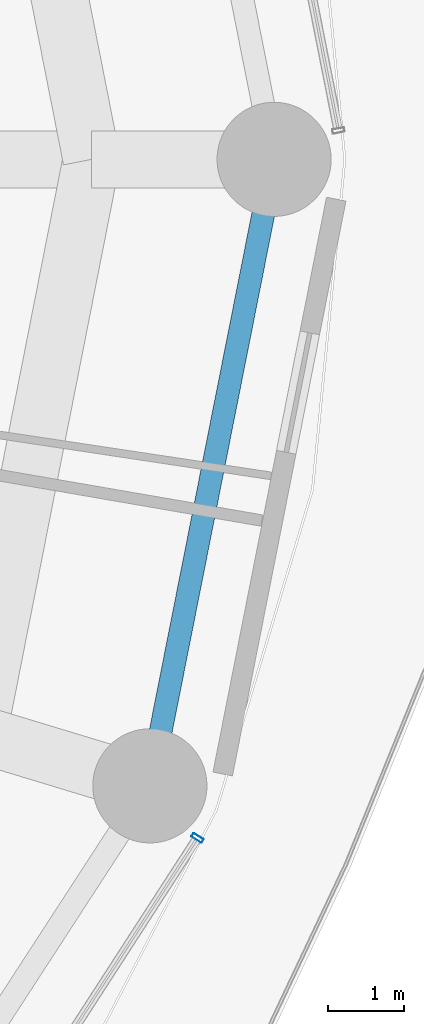
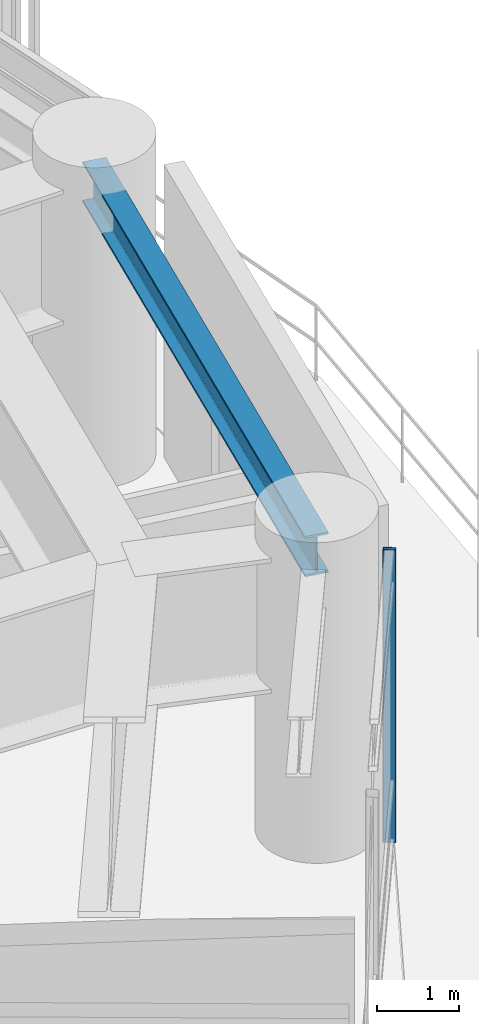
# One storey, part 12 of 31: 1 beam, 1 member, 1 element without a shape of its own.
"""IFC4 building model written with IfcOpenShell, lengths in metres."""

import ifcopenshell
import ifcopenshell.guid

model = None  # the IFC model being written
_history = None  # IfcOwnerHistory: only IFC2X3 demands one
_inside = {}  # id of a spatial element -> (the spatial element, [elements in it])
_under = {}  # id of a project, library or spatial element -> (it, [spatial elements below it])
_declared = {}  # id of a project -> (the project, [libraries it declares])
_typed = {}  # id of a type object -> (the type object, [elements of that type])
_made_of = {}  # id of a material, layer set ... -> (it, [elements and type objects made of it])


def new_model(schema):
    """Start an empty IFC model of exactly this schema.

    Asked for "IFC4X3", IfcOpenShell would pick the latest addendum, in which some entities
    have other attributes; the version numbers below select the first issue.
    IFC2X3 requires an IfcOwnerHistory on every rooted entity: one is made here for all.
    """
    global model, _history
    if schema == "IFC4X3":
        model = ifcopenshell.file(schema_version=(4, 3, 0, 0))
    else:
        model = ifcopenshell.file(schema=schema)
    _inside.clear()
    _under.clear()
    _declared.clear()
    _typed.clear()
    _made_of.clear()
    _history = None
    if model.schema == "IFC2X3":
        org = make("IfcOrganization", Name="unknown")
        user = make(
            "IfcPersonAndOrganization",
            ThePerson=make("IfcPerson", FamilyName="unknown"),
            TheOrganization=org,
        )
        app = make(
            "IfcApplication",
            ApplicationDeveloper=org,
            Version="unknown",
            ApplicationFullName="unknown",
            ApplicationIdentifier="unknown",
        )
        _history = make(
            "IfcOwnerHistory",
            OwningUser=user,
            OwningApplication=app,
            ChangeAction="ADDED",
            CreationDate=0,
        )
    return model


def make(cls, **values):
    """One entity of the class cls with the attributes given. An attribute that is None is left unset."""
    return model.create_entity(
        cls, **{name: value for name, value in values.items() if value is not None}
    )


def rooted(cls, **values):
    """An entity with a GlobalId (a new one), such as an element, a storey or a relation."""
    return make(cls, GlobalId=ifcopenshell.guid.new(), OwnerHistory=_history, **values)


def si_unit(unit_type, name, prefix=None):
    """IfcSIUnit, for example si_unit("LENGTHUNIT", "METRE", prefix="MILLI")."""
    return make("IfcSIUnit", UnitType=unit_type, Prefix=prefix, Name=name)


def assignment(units):
    """IfcUnitAssignment: the units of a project."""
    return None if units is None else make("IfcUnitAssignment", Units=units)


def point(xyz):
    """IfcCartesianPoint."""
    return None if xyz is None else make("IfcCartesianPoint", Coordinates=xyz)


def direction(xyz):
    """IfcDirection."""
    return None if xyz is None else make("IfcDirection", DirectionRatios=xyz)


def frame(location, z_axis=None, x_axis=None):
    """IfcAxis2Placement3D, a coordinate frame: its origin and axes. An axis left out is left unset."""
    return make(
        "IfcAxis2Placement3D",
        Location=point(location),
        Axis=direction(z_axis),
        RefDirection=direction(x_axis),
    )


def frame_2d(location, x_axis=None):
    """IfcAxis2Placement2D, a coordinate frame in the plane: its origin and x axis."""
    return make(
        "IfcAxis2Placement2D", Location=point(location), RefDirection=direction(x_axis)
    )


def origin():
    """The frame at (0, 0, 0) with its axes left unset."""
    return frame((0.0, 0.0, 0.0))


def origin_2d():
    """The frame at (0, 0) in the plane with its x axis left unset."""
    return frame_2d((0.0, 0.0))


def place(relative_to, where):
    """IfcLocalPlacement: puts the frame where relative to a parent placement (None: the world)."""
    return make(
        "IfcLocalPlacement", PlacementRelTo=relative_to, RelativePlacement=where
    )


def context(
    kind, dimensions, precision=None, world=None, true_north=None, identifier=None
):
    """IfcGeometricRepresentationContext, for example the 3D "Model" context."""
    return make(
        "IfcGeometricRepresentationContext",
        ContextIdentifier=identifier,
        ContextType=kind,
        CoordinateSpaceDimension=dimensions,
        Precision=precision,
        WorldCoordinateSystem=world,
        TrueNorth=true_north,
    )


def subcontext(parent, identifier, kind, view, scale=None):
    """IfcGeometricRepresentationSubContext, for example "Body" below "Model"."""
    return make(
        "IfcGeometricRepresentationSubContext",
        ContextIdentifier=identifier,
        ContextType=kind,
        ParentContext=parent,
        TargetScale=scale,
        TargetView=view,
    )


def project(units=None, contexts=None):
    """IfcProject with its units and contexts."""
    return rooted(
        "IfcProject",
        Name="project",
        RepresentationContexts=contexts,
        UnitsInContext=assignment(units),
    )


def spatial(cls, under=None, at=None, **own):
    """A site, building, storey or space (cls), placed at a placement, below another one or the project."""
    s = rooted(cls, ObjectPlacement=at, **own)
    if under is not None:
        _under.setdefault(under.id(), (under, []))[1].append(s)
    return s


def profile(cls, at=None, kind="AREA", **sizes):
    """A parametric profile (cls). Its sizes go by their IFC names, for example OverallWidth=200.0."""
    return make(cls, ProfileType=kind, Position=at, **sizes)


def hollow_rectangle(**sizes):
    """IfcRectangleHollowProfileDef."""
    return profile("IfcRectangleHollowProfileDef", **sizes)


def i_section(**sizes):
    """IfcIShapeProfileDef."""
    return profile("IfcIShapeProfileDef", **sizes)


def extrude(swept, where, along, depth):
    """IfcExtrudedAreaSolid: the profile swept, set in the frame where, extruded along a direction by depth."""
    return make(
        "IfcExtrudedAreaSolid",
        SweptArea=swept,
        Position=where,
        ExtrudedDirection=direction(along),
        Depth=depth,
    )


def shape(context_of_items, identifier, shape_type, items):
    """IfcShapeRepresentation: the items that make up one representation, for example the "Body"."""
    return make(
        "IfcShapeRepresentation",
        ContextOfItems=context_of_items,
        RepresentationIdentifier=identifier,
        RepresentationType=shape_type,
        Items=items,
    )


def material(Name=None, Category=None):
    """IfcMaterial."""
    return make("IfcMaterial", Name=Name, Category=Category)


def layer(
    of_material, thickness, ventilated=None, Name=None, Category=None, Priority=None
):
    """IfcMaterialLayer: one layer of a wall or slab, of a material (None: an air gap)."""
    return make(
        "IfcMaterialLayer",
        Material=of_material,
        LayerThickness=thickness,
        IsVentilated=ventilated,
        Name=Name,
        Category=Category,
        Priority=Priority,
    )


def layer_set(layers, Name=None):
    """IfcMaterialLayerSet."""
    return make("IfcMaterialLayerSet", MaterialLayers=layers, LayerSetName=Name)


def material_profile(
    of_material, cross_section, Name=None, Category=None, Priority=None
):
    """IfcMaterialProfile: a cross section and its material."""
    return make(
        "IfcMaterialProfile",
        Name=Name,
        Material=of_material,
        Profile=cross_section,
        Priority=Priority,
        Category=Category,
    )


def profile_set(profiles, Name=None, composite=None):
    """IfcMaterialProfileSet."""
    return make(
        "IfcMaterialProfileSet",
        Name=Name,
        MaterialProfiles=profiles,
        CompositeProfile=composite,
    )


def made_of(thing, what):
    """Note that an element or type object is made of a material, layer set ...; save() writes the relation."""
    if what is not None:
        _made_of.setdefault(what.id(), (what, []))[1].append(thing)
    return thing


def type_object(cls, material=None, **own):
    """A type object (cls), such as IfcWallType, which elements share."""
    return made_of(rooted(cls, **own), material)


def element(
    cls,
    number,
    at=None,
    inside=None,
    cuts=None,
    type_object=None,
    material=None,
    context=None,
    identifier="Body",
    shape_type=None,
    held_by="IfcProductDefinitionShape",
    body=None,
    shapes=None,
    **own,
):
    """One element of the class cls, such as IfcWall. Its Tag is "e" and its number.

    at: its placement. inside: the storey or other place that contains it. cuts: it is an
    opening in that element (IfcRelVoidsElement). A single representation is given by context,
    identifier, shape_type and body (its items); several are given by shapes. held_by: the class
    of the entity that holds the representations. save() writes the other relations.
    """
    e = rooted(cls, Tag="e%d" % number, ObjectPlacement=at, **own)
    if body is not None:
        shapes = [shape(context, identifier, shape_type, body)]
    if shapes is not None:
        e.Representation = make(held_by, Representations=shapes)
    if inside is not None:
        _inside.setdefault(inside.id(), (inside, []))[1].append(e)
    if cuts is not None:
        rooted(
            "IfcRelVoidsElement", RelatingBuildingElement=cuts, RelatedOpeningElement=e
        )
    if type_object is not None:
        _typed.setdefault(type_object.id(), (type_object, []))[1].append(e)
    return made_of(e, material)


def aggregate(whole, parts):
    """IfcRelAggregates: a whole, such as a stair, and the parts it consists of."""
    return rooted("IfcRelAggregates", RelatingObject=whole, RelatedObjects=parts)


def save(model, path):
    """Write the relations noted so far, then the file.

    IfcRelAggregates (storeys below a building ...), IfcRelContainedInSpatialStructure (elements
    in a storey), IfcRelDefinesByType, IfcRelAssociatesMaterial and IfcRelDeclares: one each for
    every whole, place, type object, material and project.
    """
    for whole, parts in _under.values():
        aggregate(whole, parts)
    for where, things in _inside.values():
        rooted(
            "IfcRelContainedInSpatialStructure",
            RelatedElements=things,
            RelatingStructure=where,
        )
    for kind, things in _typed.values():
        rooted("IfcRelDefinesByType", RelatedObjects=things, RelatingType=kind)
    for what, things in _made_of.values():
        rooted("IfcRelAssociatesMaterial", RelatedObjects=things, RelatingMaterial=what)
    for by, libraries in _declared.values():
        rooted("IfcRelDeclares", RelatingContext=by, RelatedDefinitions=libraries)
    model.write(path)


model = new_model("IFC4")

# Units and contexts
model_context = context("Model", 3, precision=1e-05, world=origin(), true_north=direction((0.0, 1.0)))
body_context = subcontext(model_context, "Body", "Model", "MODEL_VIEW")
ifc_project = project(units=[si_unit("LENGTHUNIT", "METRE"), si_unit("AREAUNIT", "SQUARE_METRE"), si_unit("VOLUMEUNIT", "CUBIC_METRE"), si_unit("PLANEANGLEUNIT", "RADIAN"), si_unit("MASSUNIT", "GRAM", prefix="KILO")], contexts=[model_context])

# Site, building, storey
site_placement = place(None, origin())
site = spatial("IfcSite", under=ifc_project, at=site_placement, CompositionType="ELEMENT")
building_placement = place(site_placement, origin())
building = spatial("IfcBuilding", under=site, at=building_placement, Name="Kelanora Arch Commons", CompositionType="ELEMENT")
storey_placement = place(building_placement, frame((0.0, 0.0, 67.5)))
storey = spatial("IfcBuildingStorey", under=building, at=storey_placement, Name="L17", CompositionType="ELEMENT", Elevation=67.5)

# Beam
ifc_material_1 = material(Name="Steel S355", Category="steel")
ifc_material_profile_1 = material_profile(ifc_material_1, i_section(OverallWidth=0.300048828125, OverallDepth=0.60009765625, WebThickness=0.015380859375, FlangeThickness=0.030029296875, FilletRadius=0.027099609375, at=origin_2d()), Name="HEB600")
ifc_profile_set_1 = profile_set([ifc_material_profile_1], Name="Steel S355")
beam_type = type_object("IfcBeamType", Name="BM-SPN-Z1", PredefinedType="SPANDREL", material=ifc_profile_set_1)
beam_placement = place(storey_placement, frame((99.447021484375, 49.76416015625, 4.06005859375), z_axis=(0.194499827256, 0.980902552345, 0.0), x_axis=(-0.980902552345, 0.194499827256, 0.0)))
element("IfcBeam", 1, at=beam_placement, inside=storey, type_object=beam_type, Name="Perimeter Spandrel Beam BS-34 L17", PredefinedType="SPANDREL", context=body_context, shape_type="SweptSolid", body=[
    extrude(i_section(OverallWidth=0.300048828125, OverallDepth=0.60009765625, WebThickness=0.015380859375, FlangeThickness=0.030029296875, FilletRadius=0.027099609375, at=origin_2d()), origin(), (0.0, 0.0, 1.0), 8.396240234375),
])

# Curtain wall, member
ifc_material_2 = material(Name="Terracotta ceramic-fritted low-E glass and aluminium", Category="masonry")
ifc_layer = layer(ifc_material_2, 0.159912109375)
ifc_layer_set = layer_set([ifc_layer], Name="Terracotta ceramic-fritted low-E glass and aluminium")
curtain_wall_type = type_object("IfcCurtainWallType", Name="CW-SYS-01", PredefinedType="NOTDEFINED", material=ifc_layer_set)
curtain_wall_placement = place(storey_placement, origin())
curtain_wall = element("IfcCurtainWall", 2, at=curtain_wall_placement, inside=storey, type_object=curtain_wall_type, Name="Unitised Curtain Wall L17-B16", PredefinedType="NOTDEFINED")
ifc_material_3 = material(Name="Powder-coated aluminium terracotta", Category="masonry")
ifc_material_profile_2 = material_profile(ifc_material_3, hollow_rectangle(XDim=0.159912109375, YDim=0.06005859375, WallThickness=0.0048828125, InnerFilletRadius=0.0048828125, OuterFilletRadius=0.010009765625, at=origin_2d()), Name="CWM160x60")
ifc_profile_set_2 = profile_set([ifc_material_profile_2], Name="Powder-coated aluminium terracotta")
member_type = type_object("IfcMemberType", Name="CWM-STD", PredefinedType="MULLION", material=ifc_profile_set_2)
member_placement = place(storey_placement, frame((100.072265625, 49.07958984375, 0.0), z_axis=(0.0, 0.0, 1.0), x_axis=(-0.83972982332, 0.543004441812, 0.0)))
member = element("IfcMember", 3, at=member_placement, type_object=member_type, Name="CW-01 mullion 3", PredefinedType="MULLION", context=body_context, shape_type="SweptSolid", body=[
    extrude(hollow_rectangle(XDim=0.159912109375, YDim=0.06005859375, WallThickness=0.0048828125, InnerFilletRadius=0.0048828125, OuterFilletRadius=0.010009765625, at=origin_2d()), origin(), (0.0, 0.0, 1.0), 4.344970703125),
])
aggregate(curtain_wall, [member])

save(model, "model.ifc")
